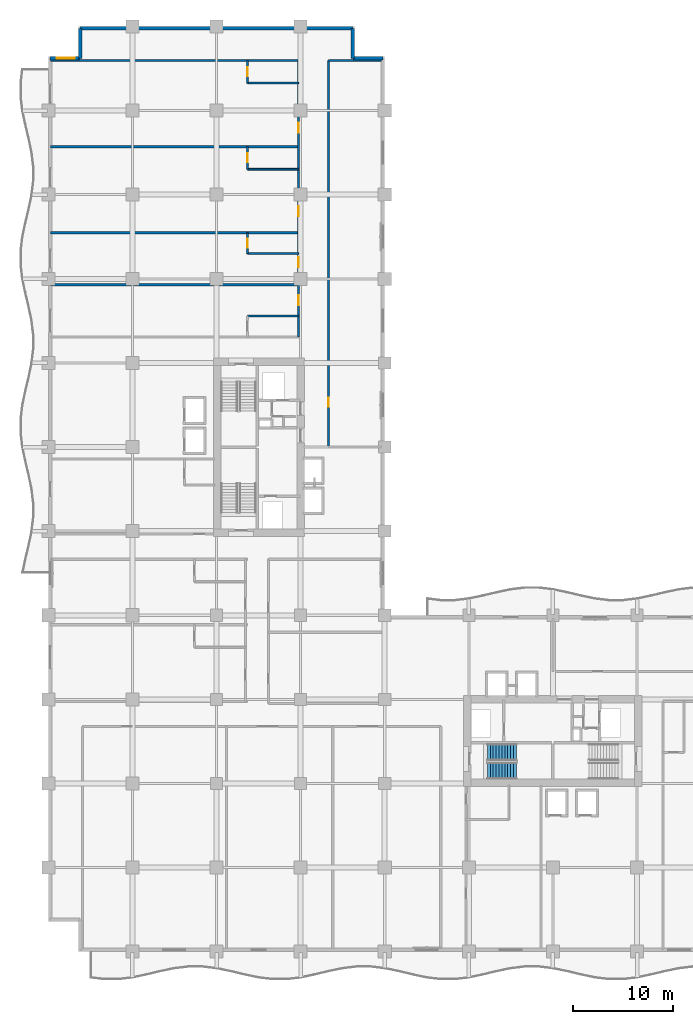
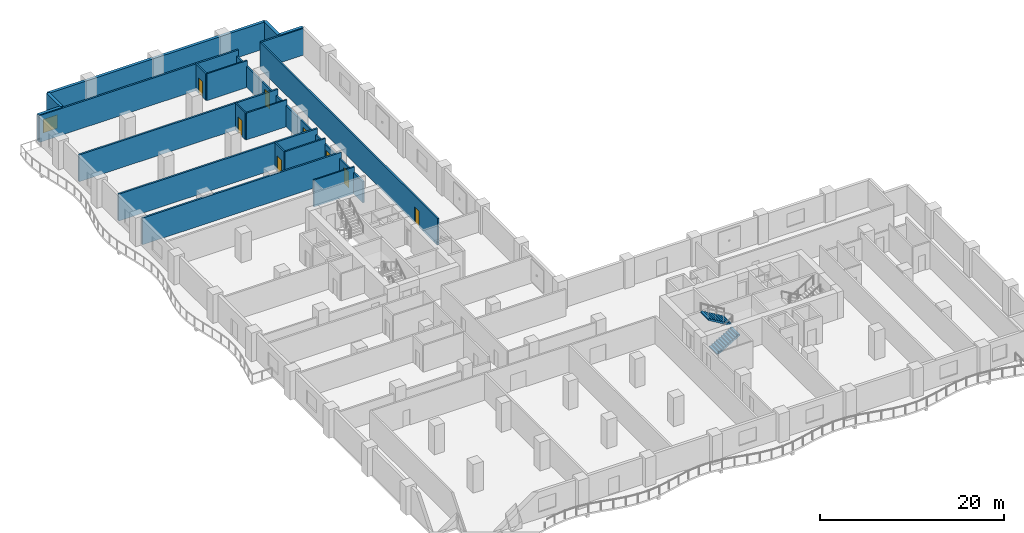
# One storey, part 11 of 18: 19 walls, 8 doors, 2 stair flights, 1 window, 9 openings, 1 element without a shape of its own.
"""IFC4 building model written with IfcOpenShell, lengths in metres."""

from ifc_helpers import new_model, si_unit, direction, frame, frame_2d, origin, place, context, subcontext, project, spatial, polyline, rectangle, outline, extrude, material, layer, layer_set, type_object, element, fill, aggregate, save


model = new_model("IFC4")

# Units and contexts
model_context = context("Model", 3, precision=1e-05, world=origin(), true_north=direction((0.0, 1.0)))
body_context = subcontext(model_context, "Body", "Model", "MODEL_VIEW")
ifc_project = project(units=[si_unit("LENGTHUNIT", "METRE"), si_unit("AREAUNIT", "SQUARE_METRE"), si_unit("VOLUMEUNIT", "CUBIC_METRE"), si_unit("PLANEANGLEUNIT", "RADIAN"), si_unit("MASSUNIT", "GRAM", prefix="KILO")], contexts=[model_context])

# Site, building, storey
site_placement = place(None, origin())
site = spatial("IfcSite", under=ifc_project, at=site_placement, CompositionType="ELEMENT")
building_placement = place(site_placement, origin())
building = spatial("IfcBuilding", under=site, at=building_placement, Name="Koriwani Terraces Tower", CompositionType="ELEMENT")
storey_placement = place(building_placement, frame((0.0, 0.0, 145.60009765625)))
storey = spatial("IfcBuildingStorey", under=building, at=storey_placement, Name="L35", CompositionType="ELEMENT", Elevation=145.60009765625)

# Wall, openings, doors
ifc_material_1 = material(Name="Autoclaved Cellular Concrete Blockwork", Category="masonry")
ifc_layer_1 = layer(ifc_material_1, 0.199951171875, Name="Autoclaved Cellular Concrete Blockwork")
ifc_layer_set_1 = layer_set([ifc_layer_1], Name="Autoclaved Cellular Concrete Blockwork")
wall_type_1 = type_object("IfcWallType", Name="WALL_CORRIDOR_200", PredefinedType="PARTITIONING", material=ifc_layer_set_1)
wall_1_placement = place(storey_placement, frame((25.0, 61.39990234375, 0.0), z_axis=(0.0, 0.0, 1.0), x_axis=(0.0, 1.0, 0.0)))
wall_1 = element("IfcWall", 1, at=wall_1_placement, inside=storey, type_object=wall_type_1, Name="L35 Interior Wall WCOR-L35-NE-0", PredefinedType="PARTITIONING", context=body_context, shape_type="SweptSolid", body=[
    extrude(rectangle(XDim=27.60009765625, YDim=0.199951171875, at=frame_2d((13.800048828125, 0.0))), origin(), (0.0, 0.0, 1.0), 2.7998046875),
])
opening_1_placement = place(wall_1_placement, frame((3.179931640625, 0.0, 0.0)))
opening_1 = element("IfcOpeningElement", 2, at=opening_1_placement, cuts=wall_1, Name="Opening D-05", PredefinedType="OPENING", context=body_context, shape_type="SweptSolid", body=[
    extrude(rectangle(XDim=1.0, YDim=2.14990234375, at=frame_2d((0.5, 1.074951171875))), frame((0.0, 0.10986328125, 0.0), z_axis=(0.0, -1.0, 0.0), x_axis=(1.0, 0.0, 0.0)), (0.0, 0.0, 1.0), 0.219970703125),
])
opening_2_placement = place(wall_1_placement, frame((6.969970703125, 0.0, 0.0)))
opening_2 = element("IfcOpeningElement", 3, at=opening_2_placement, cuts=wall_1, Name="Opening D-05", PredefinedType="OPENING", context=body_context, shape_type="SweptSolid", body=[
    extrude(rectangle(XDim=1.0, YDim=2.14990234375, at=frame_2d((0.5, 1.074951171875))), frame((0.0, 0.10986328125, 0.0), z_axis=(0.0, -1.0, 0.0), x_axis=(1.0, 0.0, 0.0)), (0.0, 0.0, 1.0), 0.219970703125),
])
opening_3_placement = place(wall_1_placement, frame((12.034912109375, 0.0, 0.0)))
opening_3 = element("IfcOpeningElement", 4, at=opening_3_placement, cuts=wall_1, Name="Opening D-05", PredefinedType="OPENING", context=body_context, shape_type="SweptSolid", body=[
    extrude(rectangle(XDim=1.0, YDim=2.14990234375, at=frame_2d((0.5, 1.074951171875))), frame((0.0, 0.10986328125, 0.0), z_axis=(0.0, -1.0, 0.0), x_axis=(1.0, 0.0, 0.0)), (0.0, 0.0, 1.0), 0.219970703125),
])
opening_4_placement = place(wall_1_placement, frame((20.385009765625, 0.0, 0.0)))
opening_4 = element("IfcOpeningElement", 5, at=opening_4_placement, cuts=wall_1, Name="Opening D-05", PredefinedType="OPENING", context=body_context, shape_type="SweptSolid", body=[
    extrude(rectangle(XDim=1.0, YDim=2.14990234375, at=frame_2d((0.5, 1.074951171875))), frame((0.0, 0.10986328125, 0.0), z_axis=(0.0, -1.0, 0.0), x_axis=(1.0, 0.0, 0.0)), (0.0, 0.0, 1.0), 0.219970703125),
])
ifc_material_2 = material(Name="Architectural Oak Fire Door", Category="wood")
door_type_1 = type_object("IfcDoorType", Name="DOOR_SUITE_ENTRY_1000X2150", OperationType="NOTDEFINED", PredefinedType="DOOR", material=ifc_material_2)
door_1_placement = place(opening_1_placement, origin())
door_1 = element("IfcDoor", 6, at=door_1_placement, inside=storey, type_object=door_type_1, Name="Luxury Hotel Suite 35NE1 Entrance Door", OperationType="SINGLE_SWING_RIGHT", OverallHeight=2.14990234375, OverallWidth=1.0, PredefinedType="DOOR", context=body_context, shape_type="SweptSolid", body=[
    extrude(rectangle(XDim=1.0, YDim=2.14990234375, at=frame_2d((0.5, 1.074951171875))), frame((0.0, 0.02490234375, 0.0), z_axis=(0.0, -1.0, 0.0), x_axis=(1.0, 0.0, 0.0)), (0.0, 0.0, 1.0), 0.050048828125),
])
fill(opening_1, door_1)
door_2_placement = place(opening_2_placement, origin())
door_2 = element("IfcDoor", 7, at=door_2_placement, inside=storey, type_object=door_type_1, Name="Luxury Hotel Suite 35NE2 Entrance Door", OperationType="SINGLE_SWING_RIGHT", OverallHeight=2.14990234375, OverallWidth=1.0, PredefinedType="DOOR", context=body_context, shape_type="SweptSolid", body=[
    extrude(rectangle(XDim=1.0, YDim=2.14990234375, at=frame_2d((0.5, 1.074951171875))), frame((0.0, 0.02490234375, 0.0), z_axis=(0.0, -1.0, 0.0), x_axis=(1.0, 0.0, 0.0)), (0.0, 0.0, 1.0), 0.050048828125),
])
fill(opening_2, door_2)
door_3_placement = place(opening_3_placement, origin())
door_3 = element("IfcDoor", 8, at=door_3_placement, inside=storey, type_object=door_type_1, Name="Luxury Hotel Suite 35NE3 Entrance Door", OperationType="SINGLE_SWING_RIGHT", OverallHeight=2.14990234375, OverallWidth=1.0, PredefinedType="DOOR", context=body_context, shape_type="SweptSolid", body=[
    extrude(rectangle(XDim=1.0, YDim=2.14990234375, at=frame_2d((0.5, 1.074951171875))), frame((0.0, 0.02490234375, 0.0), z_axis=(0.0, -1.0, 0.0), x_axis=(1.0, 0.0, 0.0)), (0.0, 0.0, 1.0), 0.050048828125),
])
fill(opening_3, door_3)
door_4_placement = place(opening_4_placement, origin())
door_4 = element("IfcDoor", 9, at=door_4_placement, inside=storey, type_object=door_type_1, Name="Luxury Hotel Suite 35NE4 Entrance Door", OperationType="SINGLE_SWING_RIGHT", OverallHeight=2.14990234375, OverallWidth=1.0, PredefinedType="DOOR", context=body_context, shape_type="SweptSolid", body=[
    extrude(rectangle(XDim=1.0, YDim=2.14990234375, at=frame_2d((0.5, 1.074951171875))), frame((0.0, 0.02490234375, 0.0), z_axis=(0.0, -1.0, 0.0), x_axis=(1.0, 0.0, 0.0)), (0.0, 0.0, 1.0), 0.050048828125),
])
fill(opening_4, door_4)

# Wall, opening, door
wall_2_placement = place(storey_placement, frame((28.0, 50.39990234375, 0.0), z_axis=(0.0, 0.0, 1.0), x_axis=(0.0, 1.0, 0.0)))
wall_2 = element("IfcWall", 10, at=wall_2_placement, inside=storey, type_object=wall_type_1, Name="L35 Interior Wall WNEC-W-L35", PredefinedType="PARTITIONING", context=body_context, shape_type="SweptSolid", body=[
    extrude(rectangle(XDim=38.60009765625, YDim=0.199951171875, at=frame_2d((19.300048828125, 0.0))), origin(), (0.0, 0.0, 1.0), 3.5498046875),
])
opening_5_placement = place(wall_2_placement, frame((4.0, 0.0, 0.0)))
opening_5 = element("IfcOpeningElement", 11, at=opening_5_placement, cuts=wall_2, Name="Opening D-06", PredefinedType="OPENING", context=body_context, shape_type="SweptSolid", body=[
    extrude(rectangle(XDim=0.919921875, YDim=2.10009765625, at=frame_2d((0.4599609375, 1.050048828125))), frame((0.0, 0.10986328125, 0.0), z_axis=(0.0, -1.0, 0.0), x_axis=(1.0, 0.0, 0.0)), (0.0, 0.0, 1.0), 0.219970703125),
])
door_type_2 = type_object("IfcDoorType", Name="DOOR_ROOM_INT_920X2100", OperationType="NOTDEFINED", PredefinedType="DOOR", material=ifc_material_2)
door_5_placement = place(opening_5_placement, origin())
door_5 = element("IfcDoor", 12, at=door_5_placement, inside=storey, type_object=door_type_2, Name="L35 North Court Study Door", OperationType="SINGLE_SWING_RIGHT", OverallHeight=2.10009765625, OverallWidth=0.919921875, PredefinedType="DOOR", context=body_context, shape_type="SweptSolid", body=[
    extrude(rectangle(XDim=0.919921875, YDim=2.10009765625, at=frame_2d((0.4599609375, 1.050048828125))), frame((0.0, 0.02490234375, 0.0), z_axis=(0.0, -1.0, 0.0), x_axis=(1.0, 0.0, 0.0)), (0.0, 0.0, 1.0), 0.050048828125),
])
fill(opening_5, door_5)

# Walls
ifc_layer_2 = layer(ifc_material_1, 0.219970703125, Name="Autoclaved Cellular Concrete Blockwork")
ifc_layer_set_2 = layer_set([ifc_layer_2], Name="Autoclaved Cellular Concrete Blockwork")
wall_type_2 = type_object("IfcWallType", Name="WALL_DEMISING_220", PredefinedType="PARTITIONING", material=ifc_layer_set_2)
for number, where, z_axis, x_axis, name in (
    (13, (0.199951171875, 66.60009765625, 0.0), (0.0, 0.0, 1.0), (1.0, 0.0, 0.0), "L35 Interior Wall WDEM-L35-NE-1"),
    (14, (0.199951171875, 71.800048828125, 0.0), (0.0, 0.0, 1.0), (1.0, 0.0, 0.0), "L35 Interior Wall WDEM-L35-NE-2"),
    (15, (0.199951171875, 80.39990234375, 0.0), (0.0, 0.0, 1.0), (1.0, 0.0, 0.0), "L35 Interior Wall WDEM-L35-NE-3"),
    (16, (0.199951171875, 89.0, 0.0), (0.0, 0.0, 1.0), (1.0, 0.0, 0.0), "L35 Interior Wall WDEME-L35-NE"),
):
    element("IfcWall", number, at=place(storey_placement, frame(where, z_axis=z_axis, x_axis=x_axis)), inside=storey, type_object=wall_type_2, Name=name, PredefinedType="PARTITIONING", context=body_context, shape_type="SweptSolid", body=[
        extrude(rectangle(XDim=24.97998046875, YDim=0.219970703125, at=frame_2d((12.489990234375, 0.0))), origin(), (0.0, 0.0, 1.0), 3.5498046875),
    ])
wall_3_placement = place(storey_placement, frame((28.0, 89.0, 0.0), z_axis=(0.0, 0.0, 1.0), x_axis=(1.0, 0.0, 0.0)))
element("IfcWall", 17, at=wall_3_placement, inside=storey, type_object=wall_type_2, Name="L35 Interior Wall WNEC-N-L35", PredefinedType="PARTITIONING", context=body_context, shape_type="SweptSolid", body=[
    extrude(rectangle(XDim=5.300048828125, YDim=0.219970703125, at=frame_2d((2.64990234375, 0.0))), origin(), (0.0, 0.0, 1.0), 3.5498046875),
])

# Wall, opening, window
ifc_material_3 = material(Name="Concrete C50/60", Category="concrete")
ifc_layer_3 = layer(ifc_material_3, 0.35009765625, Name="Concrete C50/60")
ifc_layer_set_3 = layer_set([ifc_layer_3], Name="Concrete C50/60")
wall_type_3 = type_object("IfcWallType", Name="WALL_EXT_BRUTALIST_350", PredefinedType="STANDARD", material=ifc_layer_set_3)
wall_4_placement = place(storey_placement, frame((0.175048828125, 89.22509765625, 0.0), z_axis=(0.0, 0.0, 1.0), x_axis=(1.0, 0.0, 0.0)))
wall_4 = element("IfcWall", 18, at=wall_4_placement, inside=storey, type_object=wall_type_3, Name="L35 Fair-Faced Brutalist Exterior Wall (N3)", PredefinedType="STANDARD", context=body_context, shape_type="SweptSolid", body=[
    extrude(rectangle(XDim=3.0, YDim=0.35009765625, at=frame_2d((1.5, 0.0))), origin(), (0.0, 0.0, 1.0), 3.5498046875),
])
opening_6_placement = place(wall_4_placement, frame((0.677490234375, 0.0, 0.85009765625)))
opening_6 = element("IfcOpeningElement", 19, at=opening_6_placement, cuts=wall_4, Name="Opening W-04", PredefinedType="OPENING", context=body_context, shape_type="SweptSolid", body=[
    extrude(rectangle(XDim=1.800048828125, YDim=1.800048828125, at=frame_2d((0.89990234375, 0.89990234375))), frame((0.0, 0.18505859375, 0.0), z_axis=(0.0, -1.0, 0.0), x_axis=(1.0, 0.0, 0.0)), (0.0, 0.0, 1.0), 0.3701171875),
])
ifc_material_4 = material(Name="Tempered Laminated Low-E Glass", Category="glass")
window_type = type_object("IfcWindowType", Name="WIN_RES_BED_1800X1800", PartitioningType="DOUBLE_PANEL_VERTICAL", PredefinedType="WINDOW", material=ifc_material_4)
window_placement = place(opening_6_placement, origin())
window = element("IfcWindow", 20, at=window_placement, inside=storey, type_object=window_type, Name="L35 Exterior Window (N3-R45)", OverallHeight=1.800048828125, OverallWidth=1.800048828125, PartitioningType="SINGLE_PANEL", PredefinedType="WINDOW", context=body_context, shape_type="SweptSolid", body=[
    extrude(rectangle(XDim=1.800048828125, YDim=1.800048828125, at=frame_2d((0.89990234375, 0.89990234375))), frame((0.0, 0.030029296875, 0.0), z_axis=(0.0, -1.0, 0.0), x_axis=(1.0, 0.0, 0.0)), (0.0, 0.0, 1.0), 0.06005859375),
])
fill(opening_6, window)

# Walls
wall_5_placement = place(storey_placement, frame((3.175048828125, 89.22509765625, 0.0), z_axis=(0.0, 0.0, 1.0), x_axis=(0.0, 1.0, 0.0)))
element("IfcWall", 21, at=wall_5_placement, inside=storey, type_object=wall_type_3, Name="L35 Fair-Faced Brutalist Exterior Wall (N4)", PredefinedType="STANDARD", context=body_context, shape_type="SweptSolid", body=[
    extrude(rectangle(XDim=3.0, YDim=0.35009765625, at=frame_2d((1.5, 0.0))), origin(), (0.0, 0.0, 1.0), 3.5498046875),
])
wall_6_placement = place(storey_placement, frame((3.175048828125, 92.22509765625, 0.0), z_axis=(0.0, 0.0, 1.0), x_axis=(1.0, 0.0, 0.0)))
element("IfcWall", 22, at=wall_6_placement, inside=storey, type_object=wall_type_3, Name="L35 Fair-Faced Brutalist Exterior Wall (N_TIP)", PredefinedType="STANDARD", context=body_context, shape_type="SweptSolid", body=[
    extrude(rectangle(XDim=27.25, YDim=0.35009765625, at=frame_2d((13.625, 0.0))), origin(), (0.0, 0.0, 1.0), 3.5498046875),
])
for number, where, z_axis, x_axis, name in (
    (23, (30.425048828125, 92.22509765625, 0.0), (0.0, 0.0, 1.0), (0.0, -1.0, 0.0), "L35 Fair-Faced Brutalist Exterior Wall (N6)"),
    (24, (30.425048828125, 89.22509765625, 0.0), (0.0, 0.0, 1.0), (1.0, 0.0, 0.0), "L35 Fair-Faced Brutalist Exterior Wall (N7)"),
):
    element("IfcWall", number, at=place(storey_placement, frame(where, z_axis=z_axis, x_axis=x_axis)), inside=storey, type_object=wall_type_3, Name=name, PredefinedType="STANDARD", context=body_context, shape_type="SweptSolid", body=[
        extrude(rectangle(XDim=3.0, YDim=0.35009765625, at=frame_2d((1.5, 0.0))), origin(), (0.0, 0.0, 1.0), 3.5498046875),
    ])
ifc_material_5 = material(Name="Fire-Rated Acoustic Gypsum Partition", Category="masonry")
ifc_layer_4 = layer(ifc_material_5, 0.179931640625, Name="Fire-Rated Acoustic Gypsum Partition")
ifc_layer_set_4 = layer_set([ifc_layer_4], Name="Fire-Rated Acoustic Gypsum Partition")
wall_type_4 = type_object("IfcWallType", Name="WALL_PLUMBING_180", PredefinedType="PLUMBINGWALL", material=ifc_layer_set_4)
wall_7_placement = place(storey_placement, frame((19.89990234375, 63.47998046875, 0.0), z_axis=(0.0, 0.0, 1.0), x_axis=(1.0, 0.0, 0.0)))
element("IfcWall", 25, at=wall_7_placement, inside=storey, type_object=wall_type_4, Name="L35 Interior Wall WBTH2-L35-NE-0", PredefinedType="PLUMBINGWALL", context=body_context, shape_type="SweptSolid", body=[
    extrude(rectangle(XDim=5.10009765625, YDim=0.179931640625, at=frame_2d((2.550048828125, 0.0))), origin(), (0.0, 0.0, 1.0), 3.5498046875),
])

# Wall, opening, door
wall_8_placement = place(storey_placement, frame((19.89990234375, 69.719970703125, 0.0), z_axis=(0.0, 0.0, 1.0), x_axis=(0.0, 1.0, 0.0)))
wall_8 = element("IfcWall", 26, at=wall_8_placement, inside=storey, type_object=wall_type_4, Name="L35 Interior Wall WBTH1-L35-NE-1", PredefinedType="PLUMBINGWALL", context=body_context, shape_type="SweptSolid", body=[
    extrude(rectangle(XDim=2.080078125, YDim=0.179931640625, at=frame_2d((1.0400390625, 0.0))), origin(), (0.0, 0.0, 1.0), 3.5498046875),
])
opening_7_placement = place(wall_8_placement, frame((0.590087890625, 0.0, 0.0)))
opening_7 = element("IfcOpeningElement", 27, at=opening_7_placement, cuts=wall_8, Name="Opening D-07", PredefinedType="OPENING", context=body_context, shape_type="SweptSolid", body=[
    extrude(rectangle(XDim=0.89990234375, YDim=2.10009765625, at=frame_2d((0.449951171875, 1.050048828125))), frame((0.0, 0.10009765625, 0.0), z_axis=(0.0, -1.0, 0.0), x_axis=(1.0, 0.0, 0.0)), (0.0, 0.0, 1.0), 0.199951171875),
])
door_type_3 = type_object("IfcDoorType", Name="DOOR_BATH_INT_900X2100", OperationType="NOTDEFINED", PredefinedType="DOOR", material=ifc_material_2)
door_6_placement = place(opening_7_placement, origin())
door_6 = element("IfcDoor", 28, at=door_6_placement, inside=storey, type_object=door_type_3, Name="En-Suite Bathroom 35NE2 Door", OperationType="SINGLE_SWING_LEFT", OverallHeight=2.10009765625, OverallWidth=0.89990234375, PredefinedType="DOOR", context=body_context, shape_type="SweptSolid", body=[
    extrude(rectangle(XDim=0.89990234375, YDim=2.10009765625, at=frame_2d((0.449951171875, 1.050048828125))), frame((0.0, 0.02490234375, 0.0), z_axis=(0.0, -1.0, 0.0), x_axis=(1.0, 0.0, 0.0)), (0.0, 0.0, 1.0), 0.050048828125),
])
fill(opening_7, door_6)

# Wall
wall_9_placement = place(storey_placement, frame((19.89990234375, 69.719970703125, 0.0), z_axis=(0.0, 0.0, 1.0), x_axis=(1.0, 0.0, 0.0)))
element("IfcWall", 29, at=wall_9_placement, inside=storey, type_object=wall_type_4, Name="L35 Interior Wall WBTH2-L35-NE-1", PredefinedType="PLUMBINGWALL", context=body_context, shape_type="SweptSolid", body=[
    extrude(rectangle(XDim=5.10009765625, YDim=0.179931640625, at=frame_2d((2.550048828125, 0.0))), origin(), (0.0, 0.0, 1.0), 3.5498046875),
])

# Wall, opening, door
wall_10_placement = place(storey_placement, frame((19.89990234375, 78.14990234375, 0.0), z_axis=(0.0, 0.0, 1.0), x_axis=(0.0, 1.0, 0.0)))
wall_10 = element("IfcWall", 30, at=wall_10_placement, inside=storey, type_object=wall_type_4, Name="L35 Interior Wall WBTH1-L35-NE-2", PredefinedType="PLUMBINGWALL", context=body_context, shape_type="SweptSolid", body=[
    extrude(rectangle(XDim=2.25, YDim=0.179931640625, at=frame_2d((1.125, 0.0))), origin(), (0.0, 0.0, 1.0), 3.5498046875),
])
opening_8_placement = place(wall_10_placement, frame((0.675048828125, 0.0, 0.0)))
opening_8 = element("IfcOpeningElement", 31, at=opening_8_placement, cuts=wall_10, Name="Opening D-07", PredefinedType="OPENING", context=body_context, shape_type="SweptSolid", body=[
    extrude(rectangle(XDim=0.89990234375, YDim=2.10009765625, at=frame_2d((0.449951171875, 1.050048828125))), frame((0.0, 0.10009765625, 0.0), z_axis=(0.0, -1.0, 0.0), x_axis=(1.0, 0.0, 0.0)), (0.0, 0.0, 1.0), 0.199951171875),
])
door_7_placement = place(opening_8_placement, origin())
door_7 = element("IfcDoor", 32, at=door_7_placement, inside=storey, type_object=door_type_3, Name="En-Suite Bathroom 35NE3 Door", OperationType="SINGLE_SWING_LEFT", OverallHeight=2.10009765625, OverallWidth=0.89990234375, PredefinedType="DOOR", context=body_context, shape_type="SweptSolid", body=[
    extrude(rectangle(XDim=0.89990234375, YDim=2.10009765625, at=frame_2d((0.449951171875, 1.050048828125))), frame((0.0, 0.02490234375, 0.0), z_axis=(0.0, -1.0, 0.0), x_axis=(1.0, 0.0, 0.0)), (0.0, 0.0, 1.0), 0.050048828125),
])
fill(opening_8, door_7)

# Wall
wall_11_placement = place(storey_placement, frame((19.89990234375, 78.14990234375, 0.0), z_axis=(0.0, 0.0, 1.0), x_axis=(1.0, 0.0, 0.0)))
element("IfcWall", 33, at=wall_11_placement, inside=storey, type_object=wall_type_4, Name="L35 Interior Wall WBTH2-L35-NE-2", PredefinedType="PLUMBINGWALL", context=body_context, shape_type="SweptSolid", body=[
    extrude(rectangle(XDim=5.10009765625, YDim=0.179931640625, at=frame_2d((2.550048828125, 0.0))), origin(), (0.0, 0.0, 1.0), 3.5498046875),
])

# Wall, opening, door
wall_12_placement = place(storey_placement, frame((19.89990234375, 86.75, 0.0), z_axis=(0.0, 0.0, 1.0), x_axis=(0.0, 1.0, 0.0)))
wall_12 = element("IfcWall", 34, at=wall_12_placement, inside=storey, type_object=wall_type_4, Name="L35 Interior Wall WBTH1-L35-NE-3", PredefinedType="PLUMBINGWALL", context=body_context, shape_type="SweptSolid", body=[
    extrude(rectangle(XDim=2.25, YDim=0.179931640625, at=frame_2d((1.125, 0.0))), origin(), (0.0, 0.0, 1.0), 3.5498046875),
])
opening_9_placement = place(wall_12_placement, frame((0.675048828125, 0.0, 0.0)))
opening_9 = element("IfcOpeningElement", 35, at=opening_9_placement, cuts=wall_12, Name="Opening D-07", PredefinedType="OPENING", context=body_context, shape_type="SweptSolid", body=[
    extrude(rectangle(XDim=0.89990234375, YDim=2.10009765625, at=frame_2d((0.449951171875, 1.050048828125))), frame((0.0, 0.10009765625, 0.0), z_axis=(0.0, -1.0, 0.0), x_axis=(1.0, 0.0, 0.0)), (0.0, 0.0, 1.0), 0.199951171875),
])
door_8_placement = place(opening_9_placement, origin())
door_8 = element("IfcDoor", 36, at=door_8_placement, inside=storey, type_object=door_type_3, Name="En-Suite Bathroom 35NE4 Door", OperationType="SINGLE_SWING_LEFT", OverallHeight=2.10009765625, OverallWidth=0.89990234375, PredefinedType="DOOR", context=body_context, shape_type="SweptSolid", body=[
    extrude(rectangle(XDim=0.89990234375, YDim=2.10009765625, at=frame_2d((0.449951171875, 1.050048828125))), frame((0.0, 0.02490234375, 0.0), z_axis=(0.0, -1.0, 0.0), x_axis=(1.0, 0.0, 0.0)), (0.0, 0.0, 1.0), 0.050048828125),
])
fill(opening_9, door_8)

# Wall
wall_13_placement = place(storey_placement, frame((19.89990234375, 86.75, 0.0), z_axis=(0.0, 0.0, 1.0), x_axis=(1.0, 0.0, 0.0)))
element("IfcWall", 37, at=wall_13_placement, inside=storey, type_object=wall_type_4, Name="L35 Interior Wall WBTH2-L35-NE-3", PredefinedType="PLUMBINGWALL", context=body_context, shape_type="SweptSolid", body=[
    extrude(rectangle(XDim=5.10009765625, YDim=0.179931640625, at=frame_2d((2.550048828125, 0.0))), origin(), (0.0, 0.0, 1.0), 3.5498046875),
])

# Stair, stair flights
ifc_material_6 = material(Name="Concrete C40/50", Category="concrete")
stair_type = type_object("IfcStairType", Name="STAIR_CORE_DOGLEG_1650", PredefinedType="TWO_STRAIGHT_RUN_STAIR", material=ifc_material_6)
stair_placement = place(storey_placement, origin())
stair = element("IfcStair", 38, at=stair_placement, inside=storey, type_object=stair_type, Name="L35 East Core Exit Stair 1", PredefinedType="HALF_TURN_STAIR")
stair_flight_type = type_object("IfcStairFlightType", Name="STAIR_FLIGHT_RC_1650", PredefinedType="STRAIGHT", material=ifc_material_6)
stair_flight_1_placement = place(storey_placement, frame((43.85009765625, 18.074951171875, 0.0), z_axis=(0.0, 0.0, 1.0), x_axis=(1.0, 0.0, 0.0)))
stair_flight_1 = element("IfcStairFlight", 39, at=stair_flight_1_placement, type_object=stair_flight_type, Name="ST-E1 flight 1", NumberOfRisers=11, NumberOfTreads=10, PredefinedType="STRAIGHT", RiserHeight=0.172727273, TreadLength=0.29, context=body_context, shape_type="SweptSolid", body=[
    extrude(outline(polyline([(0.0, 0.0), (0.0, 0.172607421875), (0.2900390625, 0.172607421875), (0.2900390625, 0.345458984375), (0.580078125, 0.345458984375), (0.580078125, 0.51806640625), (0.8701171875, 0.51806640625), (0.8701171875, 0.69091796875), (1.159912109375, 0.69091796875), (1.159912109375, 0.863525390625), (1.449951171875, 0.863525390625), (1.449951171875, 1.036376953125), (1.739990234375, 1.036376953125), (1.739990234375, 1.208984375), (2.030029296875, 1.208984375), (2.030029296875, 1.3818359375), (2.320068359375, 1.3818359375), (2.320068359375, 1.554443359375), (2.610107421875, 1.554443359375), (2.610107421875, 1.727294921875), (2.89990234375, 1.727294921875), (2.89990234375, 1.89990234375), (2.89990234375, 1.517822265625), (0.3515625, 0.0), (0.0, 0.0)])), frame((0.0, 0.824951171875, 0.0), z_axis=(0.0, -1.0, 0.0), x_axis=(1.0, 0.0, 0.0)), (0.0, 0.0, 1.0), 1.64990234375),
])
stair_flight_2_placement = place(storey_placement, frame((46.75, 19.925048828125, 1.89990234375), z_axis=(0.0, 0.0, 1.0), x_axis=(-1.0, 0.0, 0.0)))
stair_flight_2 = element("IfcStairFlight", 40, at=stair_flight_2_placement, type_object=stair_flight_type, Name="ST-E1 flight 2", NumberOfRisers=11, NumberOfTreads=10, PredefinedType="STRAIGHT", RiserHeight=0.172727273, TreadLength=0.29, context=body_context, shape_type="SweptSolid", body=[
    extrude(outline(polyline([(0.0, 0.0), (0.0, 0.172607421875), (0.2900390625, 0.172607421875), (0.2900390625, 0.345458984375), (0.580078125, 0.345458984375), (0.580078125, 0.51806640625), (0.8701171875, 0.51806640625), (0.8701171875, 0.69091796875), (1.159912109375, 0.69091796875), (1.159912109375, 0.863525390625), (1.449951171875, 0.863525390625), (1.449951171875, 1.036376953125), (1.739990234375, 1.036376953125), (1.739990234375, 1.208984375), (2.030029296875, 1.208984375), (2.030029296875, 1.3818359375), (2.320068359375, 1.3818359375), (2.320068359375, 1.554443359375), (2.610107421875, 1.554443359375), (2.610107421875, 1.727294921875), (2.89990234375, 1.727294921875), (2.89990234375, 1.89990234375), (2.89990234375, 1.517822265625), (0.3515625, 0.0), (0.0, 0.0)])), frame((0.0, 0.824951171875, 0.0), z_axis=(0.0, -1.0, 0.0), x_axis=(1.0, 0.0, 0.0)), (0.0, 0.0, 1.0), 1.64990234375),
])
aggregate(stair, [stair_flight_1, stair_flight_2])

save(model, "model.ifc")
